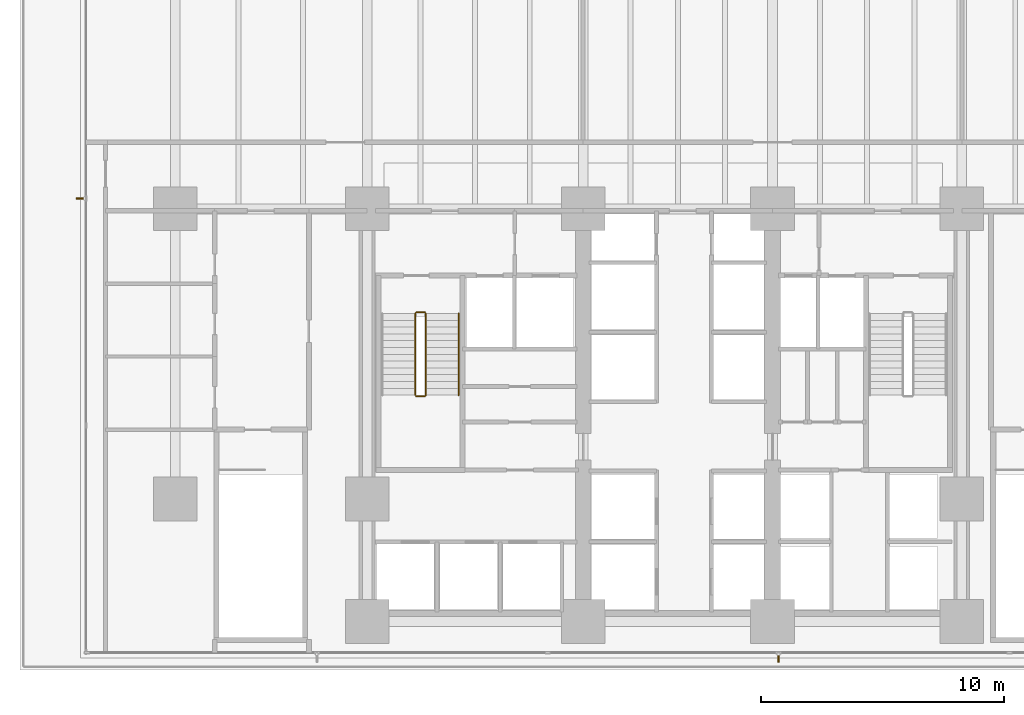
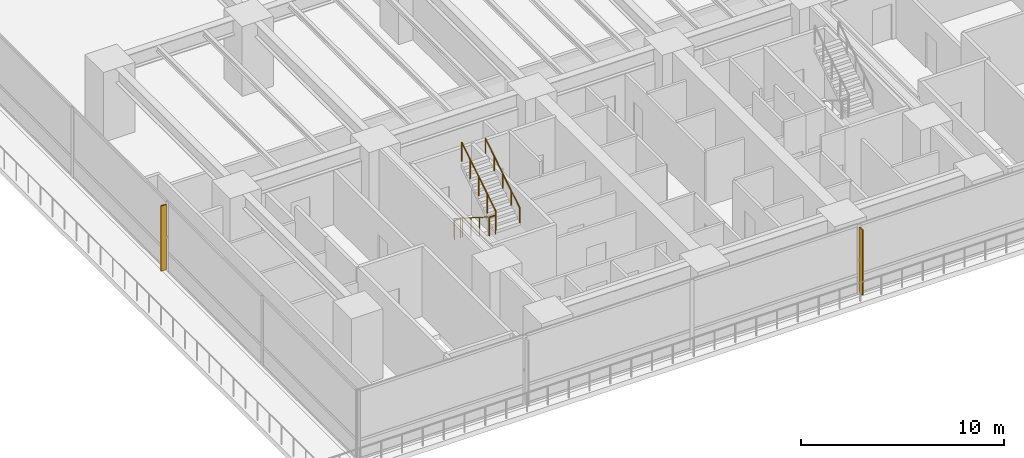
# One storey, part 16 of 21: 5 railings, 2 shading devices.
"""IFC4 building model written with IfcOpenShell, lengths in metres."""

from ifc_helpers import new_model, si_unit, direction, frame, origin, origin_2d, place, context, subcontext, project, spatial, polyline, circle, outline, extrude, material, layer, layer_set, type_object, element, save


model = new_model("IFC4")

# Units and contexts
model_context = context("Model", 3, precision=1e-05, world=origin(), true_north=direction((0.0, 1.0)))
body_context = subcontext(model_context, "Body", "Model", "MODEL_VIEW")
ifc_project = project(units=[si_unit("LENGTHUNIT", "METRE"), si_unit("AREAUNIT", "SQUARE_METRE"), si_unit("VOLUMEUNIT", "CUBIC_METRE"), si_unit("PLANEANGLEUNIT", "RADIAN"), si_unit("MASSUNIT", "GRAM", prefix="KILO")], contexts=[model_context])

# Site, building, storey
site_placement = place(None, origin())
site = spatial("IfcSite", under=ifc_project, at=site_placement, CompositionType="ELEMENT")
building_placement = place(site_placement, origin())
building = spatial("IfcBuilding", under=site, at=building_placement, Name="Qalmaran Belvedere Hotel", CompositionType="ELEMENT")
storey_placement = place(building_placement, frame((0.0, 0.0, 23.800048828125)))
storey = spatial("IfcBuildingStorey", under=building, at=storey_placement, Name="L05", CompositionType="ELEMENT", Elevation=23.800048828125)

# Shading devices
ifc_material_1 = material(Name="Anodised Bronze Aluminium", Category="aluminium")
ifc_layer = layer(ifc_material_1, 0.06494140625, Name="Anodised Bronze Aluminium")
ifc_layer_set = layer_set([ifc_layer], Name="Anodised Bronze Aluminium")
shading_device_type = type_object("IfcShadingDeviceType", Name="FIN-BRNZ-300", PredefinedType="USERDEFINED", material=ifc_layer_set)
shading_device_1_placement = place(storey_placement, frame((0.0, 0.0, 0.159912109375)))
element("IfcShadingDevice", 1, at=shading_device_1_placement, inside=storey, type_object=shading_device_type, Name="L05 Bronze Fin 3", ObjectType="FIN", PredefinedType="USERDEFINED", context=body_context, shape_type="SweptSolid", body=[
    extrude(outline(polyline([(37.217529296875, 2.12744140625), (37.217529296875, 1.827392578125), (37.282470703125, 1.827392578125), (37.282470703125, 2.12744140625), (37.217529296875, 2.12744140625)])), origin(), (0.0, 0.0, 1.0), 3.919921875),
])
shading_device_2_placement = place(storey_placement, frame((0.0, 0.0, 0.159912109375)))
element("IfcShadingDevice", 2, at=shading_device_2_placement, inside=storey, type_object=shading_device_type, Name="L05 Bronze Fin 3", ObjectType="FIN", PredefinedType="USERDEFINED", context=body_context, shape_type="SweptSolid", body=[
    extrude(outline(polyline([(8.62744140625, 20.95654296875), (8.327392578125, 20.95654296875), (8.327392578125, 20.8916015625), (8.62744140625, 20.8916015625), (8.62744140625, 20.95654296875)])), origin(), (0.0, 0.0, 1.0), 3.919921875),
])

# Railings
ifc_material_2 = material(Name="Stainless Steel 1.4401", Category="steel")
railing_type_1 = type_object("IfcRailingType", Name="RLG-STAIR-GUARD-1150", PredefinedType="GUARDRAIL", material=ifc_material_2)
railing_1_placement = place(storey_placement, frame((22.280029296875, 16.18994140625, 0.1767578125)))
element("IfcRailing", 3, at=railing_1_placement, inside=storey, type_object=railing_type_1, Name="L05 ST-1 stair guard 1", PredefinedType="GUARDRAIL", context=body_context, shape_type="SweptSolid", body=[
    extrude(circle(Radius=0.02392578125, at=origin_2d()), frame((0.0, 0.0, 1.1259765625), z_axis=(0.0, -0.845344368971, 0.534221768416), x_axis=(1.0, 0.0, 0.0)), (0.0, 0.0, 1.0), 3.974609375),
    extrude(circle(Radius=0.02099609375, at=origin_2d()), origin(), (0.0, 0.0, 1.0), 1.101806640625),
    extrude(circle(Radius=0.02099609375, at=origin_2d()), frame((0.0, -0.83984375, 0.53076171875)), (0.0, 0.0, 1.0), 1.101806640625),
    extrude(circle(Radius=0.02099609375, at=origin_2d()), frame((0.0, -1.679931640625, 1.0615234375)), (0.0, 0.0, 1.0), 1.101806640625),
    extrude(circle(Radius=0.02099609375, at=origin_2d()), frame((0.0, -2.52001953125, 1.592529296875)), (0.0, 0.0, 1.0), 1.101806640625),
    extrude(circle(Radius=0.02099609375, at=origin_2d()), frame((0.0, -3.35986328125, 2.123291015625)), (0.0, 0.0, 1.0), 1.101806640625),
])
railing_2_placement = place(storey_placement, frame((22.330078125, 12.780029296875, 2.300048828125)))
element("IfcRailing", 4, at=railing_2_placement, inside=storey, type_object=railing_type_1, Name="L05 ST-1 stair guard 2", PredefinedType="GUARDRAIL", context=body_context, shape_type="SweptSolid", body=[
    extrude(circle(Radius=0.02392578125, at=origin_2d()), frame((0.0, 0.0, 1.1259765625), z_axis=(1.0, 0.0, 0.0), x_axis=(0.0, 1.0, 0.0)), (0.0, 0.0, 1.0), 0.33984375),
    extrude(circle(Radius=0.02099609375, at=origin_2d()), origin(), (0.0, 0.0, 1.0), 1.101806640625),
    extrude(circle(Radius=0.02099609375, at=origin_2d()), frame((0.33984375, 0.0, 0.0)), (0.0, 0.0, 1.0), 1.101806640625),
])
railing_3_placement = place(storey_placement, frame((22.719970703125, 12.830078125, 2.476806640625)))
element("IfcRailing", 5, at=railing_3_placement, inside=storey, type_object=railing_type_1, Name="L05 ST-1 stair guard 3", PredefinedType="GUARDRAIL", context=body_context, shape_type="SweptSolid", body=[
    extrude(circle(Radius=0.02392578125, at=origin_2d()), frame((0.0, 0.0, 1.1259765625), z_axis=(0.0, 0.845372108799, 0.534177870812), x_axis=(-1.0, 0.0, 0.0)), (0.0, 0.0, 1.0), 3.974365234375),
    extrude(circle(Radius=0.02099609375, at=origin_2d()), origin(), (0.0, 0.0, 1.0), 1.101806640625),
    extrude(circle(Radius=0.02099609375, at=origin_2d()), frame((0.0, 0.83984375, 0.53076171875)), (0.0, 0.0, 1.0), 1.101806640625),
    extrude(circle(Radius=0.02099609375, at=origin_2d()), frame((0.0, 1.679931640625, 1.0615234375)), (0.0, 0.0, 1.0), 1.101806640625),
    extrude(circle(Radius=0.02099609375, at=origin_2d()), frame((0.0, 2.52001953125, 1.59228515625)), (0.0, 0.0, 1.0), 1.101806640625),
    extrude(circle(Radius=0.02099609375, at=origin_2d()), frame((0.0, 3.35986328125, 2.123046875)), (0.0, 0.0, 1.0), 1.101806640625),
])
railing_4_placement = place(storey_placement, frame((22.330078125, 16.239990234375, 0.0)))
element("IfcRailing", 6, at=railing_4_placement, inside=storey, type_object=railing_type_1, Name="L05 ST-1 stair guard 4", PredefinedType="GUARDRAIL", context=body_context, shape_type="SweptSolid", body=[
    extrude(circle(Radius=0.02392578125, at=origin_2d()), frame((0.0, 0.0, 1.1259765625), z_axis=(1.0, 0.0, 0.0), x_axis=(0.0, 1.0, 0.0)), (0.0, 0.0, 1.0), 0.33984375),
    extrude(circle(Radius=0.02099609375, at=origin_2d()), origin(), (0.0, 0.0, 1.0), 1.101806640625),
    extrude(circle(Radius=0.02099609375, at=origin_2d()), frame((0.33984375, 0.0, 0.0)), (0.0, 0.0, 1.0), 1.101806640625),
])
railing_type_2 = type_object("IfcRailingType", Name="RLG-STAIR-HAND-910", PredefinedType="HANDRAIL", material=ifc_material_2)
railing_5_placement = place(storey_placement, frame((24.070068359375, 12.830078125, 2.476806640625)))
element("IfcRailing", 7, at=railing_5_placement, inside=storey, type_object=railing_type_2, Name="L05 ST-1 stair handrail 2", PredefinedType="HANDRAIL", context=body_context, shape_type="SweptSolid", body=[
    extrude(circle(Radius=0.02392578125, at=origin_2d()), frame((0.0, 0.0, 0.8857421875), z_axis=(0.0, 0.845372108799, 0.534177870812), x_axis=(-1.0, 0.0, 0.0)), (0.0, 0.0, 1.0), 3.974365234375),
    extrude(circle(Radius=0.02099609375, at=origin_2d()), origin(), (0.0, 0.0, 1.0), 0.86181640625),
    extrude(circle(Radius=0.02099609375, at=origin_2d()), frame((0.0, 0.83984375, 0.53076171875)), (0.0, 0.0, 1.0), 0.86181640625),
    extrude(circle(Radius=0.02099609375, at=origin_2d()), frame((0.0, 1.679931640625, 1.0615234375)), (0.0, 0.0, 1.0), 0.86181640625),
    extrude(circle(Radius=0.02099609375, at=origin_2d()), frame((0.0, 2.52001953125, 1.59228515625)), (0.0, 0.0, 1.0), 0.86181640625),
    extrude(circle(Radius=0.02099609375, at=origin_2d()), frame((0.0, 3.35986328125, 2.123046875)), (0.0, 0.0, 1.0), 0.86181640625),
])

save(model, "model.ifc")
